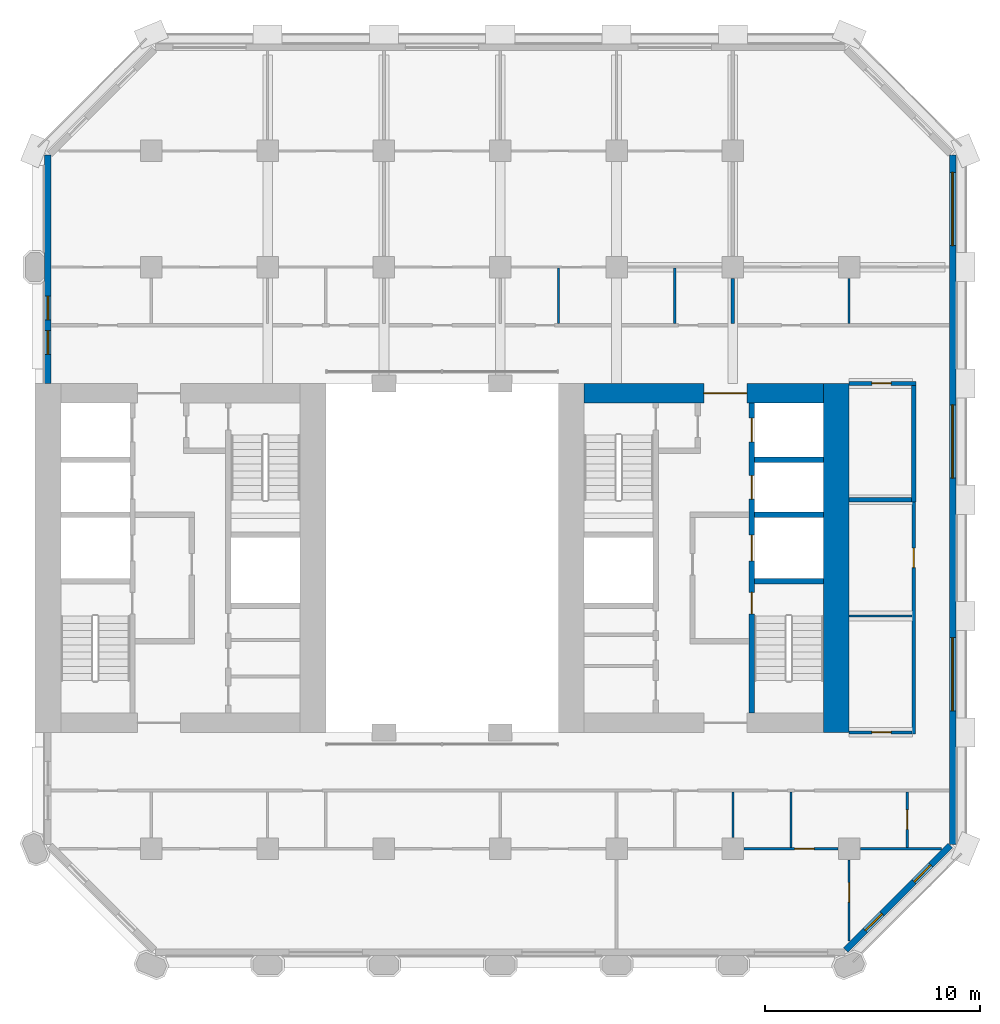
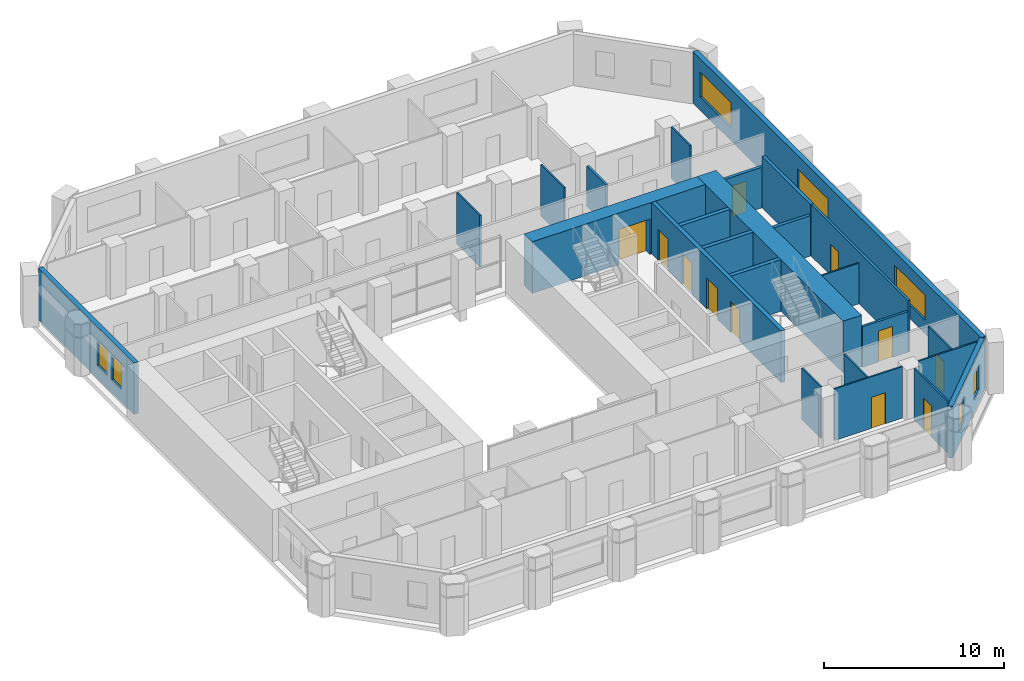
# One storey, part 6 of 11: 25 walls, 11 doors, 7 windows, 18 openings.
"""IFC4 building model written with IfcOpenShell, lengths in metres."""

from ifc_helpers import new_model, si_unit, direction, frame, frame_2d, origin, place, context, subcontext, project, spatial, rectangle, extrude, material, layer, layer_set, type_object, element, fill, save


model = new_model("IFC4")

# Units and contexts
model_context = context("Model", 3, precision=1e-05, world=origin(), true_north=direction((0.0, 1.0)))
body_context = subcontext(model_context, "Body", "Model", "MODEL_VIEW")
ifc_project = project(units=[si_unit("LENGTHUNIT", "METRE"), si_unit("AREAUNIT", "SQUARE_METRE"), si_unit("VOLUMEUNIT", "CUBIC_METRE"), si_unit("PLANEANGLEUNIT", "RADIAN"), si_unit("MASSUNIT", "GRAM", prefix="KILO")], contexts=[model_context])

# Site, building, storey
site_placement = place(None, origin())
site = spatial("IfcSite", under=ifc_project, at=site_placement, CompositionType="ELEMENT")
building_placement = place(site_placement, origin())
building = spatial("IfcBuilding", under=site, at=building_placement, Name="Tabaq Tower and Sports Hall", CompositionType="ELEMENT")
storey_placement = place(building_placement, frame((0.0, 0.0, 84.0)))
storey = spatial("IfcBuildingStorey", under=building, at=storey_placement, Name="L19", CompositionType="ELEMENT", Elevation=84.0)

# Wall
ifc_material_1 = material(Name="Concrete C60/75", Category="concrete")
ifc_layer_1 = layer(ifc_material_1, 1.199951171875)
ifc_layer_set_1 = layer_set([ifc_layer_1], Name="Core wall 1200 Concrete C60/75")
wall_type_1 = type_object("IfcWallType", Name="Core wall 1200 Concrete C60/75", PredefinedType="SOLIDWALL", material=ifc_layer_set_1)
wall_1_placement = place(storey_placement, frame((42.60009765625, 32.39990234375, 0.0), z_axis=(0.0, 0.0, 1.0), x_axis=(0.0, -1.0, 0.0)))
element("IfcWall", 1, at=wall_1_placement, inside=storey, type_object=wall_type_1, Name="Core wall E L19", PredefinedType="SOLIDWALL", context=body_context, shape_type="SweptSolid", body=[
    extrude(rectangle(XDim=16.199951171875, YDim=1.199951171875, at=frame_2d((8.10009765625, 0.0))), origin(), (0.0, 0.0, 1.0), 3.5),
])

# Wall, opening, door
ifc_material_2 = material(Name="Concrete C60/75", Category="concrete")
ifc_layer_2 = layer(ifc_material_2, 0.89990234375)
ifc_layer_set_2 = layer_set([ifc_layer_2], Name="Core wall 900 Concrete C60/75")
wall_type_2 = type_object("IfcWallType", Name="Core wall 900 Concrete C60/75", PredefinedType="SOLIDWALL", material=ifc_layer_set_2)
wall_2_placement = place(storey_placement, frame((30.89990234375, 31.949951171875, 0.0), z_axis=(0.0, 0.0, 1.0), x_axis=(1.0, 0.0, 0.0)))
wall_2 = element("IfcWall", 2, at=wall_2_placement, inside=storey, type_object=wall_type_2, Name="Core wall E L19", PredefinedType="SOLIDWALL", context=body_context, shape_type="SweptSolid", body=[
    extrude(rectangle(XDim=11.10009765625, YDim=0.89990234375, at=frame_2d((5.550048828125, 0.0))), origin(), (0.0, 0.0, 1.0), 3.5),
])
opening_1_placement = place(wall_2_placement, frame((5.550048828125, 0.0, 0.0)))
opening_1 = element("IfcOpeningElement", 3, at=opening_1_placement, cuts=wall_2, Name="Opening PD-EL19-02", PredefinedType="OPENING", context=body_context, shape_type="SweptSolid", body=[
    extrude(rectangle(XDim=2.0, YDim=2.39990234375, at=frame_2d((1.0, 1.199951171875))), frame((0.0, 0.449951171875, 0.0), z_axis=(0.0, -1.0, 0.0), x_axis=(1.0, 0.0, 0.0)), (0.0, 0.0, 1.0), 0.89990234375),
])
ifc_material_3 = material(Name="Steel fire door", Category="steel")
door_type_1 = type_object("IfcDoorType", Name="Core entrance door 2000", OperationType="DOUBLE_DOOR_SINGLE_SWING", PredefinedType="DOOR", material=ifc_material_3)
door_1_placement = place(opening_1_placement, origin())
door_1 = element("IfcDoor", 4, at=door_1_placement, inside=storey, type_object=door_type_1, Name="Core entrance north E L19", OperationType="DOUBLE_DOOR_SINGLE_SWING", OverallHeight=2.39990234375, OverallWidth=2.0, PredefinedType="DOOR", context=body_context, shape_type="SweptSolid", body=[
    extrude(rectangle(XDim=2.0, YDim=2.39990234375, at=frame_2d((1.0, 1.199951171875))), frame((0.0, 0.02490234375, 0.0), z_axis=(0.0, -1.0, 0.0), x_axis=(1.0, 0.0, 0.0)), (0.0, 0.0, 1.0), 0.050048828125),
])
fill(opening_1, door_1)

ifc_material_4 = material(Name="Blockwork", Category="masonry")
ifc_layer_3 = layer(ifc_material_4, 0.199951171875)
ifc_layer_set_3 = layer_set([ifc_layer_3], Name="Fire compartment wall 200 Blockwork")
wall_type_3 = type_object("IfcWallType", Name="Fire compartment wall 200 Blockwork", PredefinedType="PARTITIONING", material=ifc_layer_set_3)
wall_3_placement = place(storey_placement, frame((43.199951171875, 32.39990234375, 0.0), z_axis=(0.0, 0.0, 1.0), x_axis=(1.0, 0.0, 0.0)))
wall_3 = element("IfcWall", 5, at=wall_3_placement, inside=storey, type_object=wall_type_3, Name="Compartment wall L19", PredefinedType="PARTITIONING", context=body_context, shape_type="SweptSolid", body=[
    extrude(rectangle(XDim=3.10009765625, YDim=0.199951171875, at=frame_2d((1.550048828125, 0.0))), origin(), (0.0, 0.0, 1.0), 2.75),
])
opening_2_placement = place(wall_3_placement, frame((1.050048828125, 0.0, 0.0)))
opening_2 = element("IfcOpeningElement", 6, at=opening_2_placement, cuts=wall_3, Name="Opening L19-011", PredefinedType="OPENING", context=body_context, shape_type="SweptSolid", body=[
    extrude(rectangle(XDim=0.89990234375, YDim=2.10009765625, at=frame_2d((0.449951171875, 1.050048828125))), frame((0.0, 0.10009765625, 0.0), z_axis=(0.0, -1.0, 0.0), x_axis=(1.0, 0.0, 0.0)), (0.0, 0.0, 1.0), 0.199951171875),
])
ifc_material_5 = material(Name="Steel fire door", Category="steel")
door_type_2 = type_object("IfcDoorType", Name="Plant room door 900 left hand", OperationType="SINGLE_SWING_LEFT", PredefinedType="DOOR", material=ifc_material_5)
door_2_placement = place(opening_2_placement, origin())
door_2 = element("IfcDoor", 7, at=door_2_placement, inside=storey, type_object=door_type_2, Name="Plant room door L19-011", OperationType="SINGLE_SWING_LEFT", OverallHeight=2.10009765625, OverallWidth=0.89990234375, PredefinedType="DOOR", context=body_context, shape_type="SweptSolid", body=[
    extrude(rectangle(XDim=0.89990234375, YDim=2.10009765625, at=frame_2d((0.449951171875, 1.050048828125))), frame((0.0, 0.02490234375, 0.0), z_axis=(0.0, -1.0, 0.0), x_axis=(1.0, 0.0, 0.0)), (0.0, 0.0, 1.0), 0.050048828125),
])
fill(opening_2, door_2)

# Walls
wall_4_placement = place(storey_placement, frame((46.199951171875, 32.300048828125, 0.0), z_axis=(0.0, 0.0, 1.0), x_axis=(0.0, -1.0, 0.0)))
element("IfcWall", 8, at=wall_4_placement, inside=storey, type_object=wall_type_3, Name="Compartment wall L19", PredefinedType="PARTITIONING", context=body_context, shape_type="SweptSolid", body=[
    extrude(rectangle(XDim=5.400146484375, YDim=0.199951171875, at=frame_2d((2.7001953125, 0.0))), origin(), (0.0, 0.0, 1.0), 3.5),
])
wall_5_placement = place(storey_placement, frame((46.10009765625, 27.0, 0.0), z_axis=(0.0, 0.0, 1.0), x_axis=(-1.0, 0.0, 0.0)))
element("IfcWall", 9, at=wall_5_placement, inside=storey, type_object=wall_type_3, Name="Compartment wall L19", PredefinedType="PARTITIONING", context=body_context, shape_type="SweptSolid", body=[
    extrude(rectangle(XDim=2.900146484375, YDim=0.199951171875, at=frame_2d((1.4501953125, 0.0))), origin(), (0.0, 0.0, 1.0), 2.75),
])
ifc_material_6 = material(Name="Gypsum board on steel studs", Category="steel")
ifc_layer_4 = layer(ifc_material_6, 0.10009765625)
ifc_layer_set_4 = layer_set([ifc_layer_4], Name="Partition 100 Gypsum board")
wall_type_4 = type_object("IfcWallType", Name="Partition 100 Gypsum board", PredefinedType="PARTITIONING", material=ifc_layer_set_4)
for number, where, z_axis, x_axis, name in (
    (10, (29.699951171875, 35.175048828125, 0.0), (0.0, 0.0, 1.0), (0.0, 1.0, 0.0), "Partition wall L19"),
    (11, (35.10009765625, 35.175048828125, 0.0), (0.0, 0.0, 1.0), (0.0, 1.0, 0.0), "Partition wall L19"),
):
    element("IfcWall", number, at=place(storey_placement, frame(where, z_axis=z_axis, x_axis=x_axis)), inside=storey, type_object=wall_type_4, Name=name, PredefinedType="PARTITIONING", context=body_context, shape_type="SweptSolid", body=[
        extrude(rectangle(XDim=2.574951171875, YDim=0.10009765625, at=frame_2d((1.28759765625, 0.0))), origin(), (0.0, 0.0, 1.0), 3.5),
    ])
for number, where, z_axis, x_axis, name in (
    (12, (43.199951171875, 35.175048828125, 0.0), (0.0, 0.0, 1.0), (0.0, 1.0, 0.0), "Partition wall L19"),
    (13, (37.800048828125, 11.320068359375, 0.0), (0.0, 0.0, 1.0), (0.0, 1.0, 0.0), "Partition wall L19"),
):
    element("IfcWall", number, at=place(storey_placement, frame(where, z_axis=z_axis, x_axis=x_axis)), inside=storey, type_object=wall_type_4, Name=name, PredefinedType="PARTITIONING", context=body_context, shape_type="SweptSolid", body=[
        extrude(rectangle(XDim=2.10498046875, YDim=0.10009765625, at=frame_2d((1.052490234375, 0.0))), origin(), (0.0, 0.0, 1.0), 3.5),
    ])
wall_6_placement = place(storey_placement, frame((40.5, 10.85009765625, 0.0), z_axis=(0.0, 0.0, 1.0), x_axis=(0.0, 1.0, 0.0)))
element("IfcWall", 14, at=wall_6_placement, inside=storey, type_object=wall_type_4, Name="Partition wall L19", PredefinedType="PARTITIONING", context=body_context, shape_type="SweptSolid", body=[
    extrude(rectangle(XDim=2.574951171875, YDim=0.10009765625, at=frame_2d((1.28759765625, 0.0))), origin(), (0.0, 0.0, 1.0), 3.5),
])

# Wall, opening, door
wall_7_placement = place(storey_placement, frame((38.320068359375, 10.800048828125, 0.0), z_axis=(0.0, 0.0, 1.0), x_axis=(1.0, 0.0, 0.0)))
wall_7 = element("IfcWall", 15, at=wall_7_placement, inside=storey, type_object=wall_type_4, Name="Partition wall L19", PredefinedType="PARTITIONING", context=body_context, shape_type="SweptSolid", body=[
    extrude(rectangle(XDim=4.35986328125, YDim=0.10009765625, at=frame_2d((2.179931640625, 0.0))), origin(), (0.0, 0.0, 1.0), 3.5),
])
opening_3_placement = place(wall_7_placement, frame((2.35009765625, 0.0, 0.0)))
opening_3 = element("IfcOpeningElement", 16, at=opening_3_placement, cuts=wall_7, Name="Opening L19-033", PredefinedType="OPENING", context=body_context, shape_type="SweptSolid", body=[
    extrude(rectangle(XDim=0.89990234375, YDim=2.10009765625, at=frame_2d((0.449951171875, 1.050048828125))), frame((0.0, 0.050048828125, 0.0), z_axis=(0.0, -1.0, 0.0), x_axis=(1.0, 0.0, 0.0)), (0.0, 0.0, 1.0), 0.10009765625),
])
ifc_material_7 = material(Name="Timber leaf in steel frame", Category="steel")
door_type_3 = type_object("IfcDoorType", Name="Internal door 900 left hand", OperationType="SINGLE_SWING_LEFT", PredefinedType="DOOR", material=ifc_material_7)
door_3_placement = place(opening_3_placement, origin())
door_3 = element("IfcDoor", 17, at=door_3_placement, inside=storey, type_object=door_type_3, Name="Internal door L19-033", OperationType="SINGLE_SWING_LEFT", OverallHeight=2.10009765625, OverallWidth=0.89990234375, PredefinedType="DOOR", context=body_context, shape_type="SweptSolid", body=[
    extrude(rectangle(XDim=0.89990234375, YDim=2.10009765625, at=frame_2d((0.449951171875, 1.050048828125))), frame((0.0, 0.02490234375, 0.0), z_axis=(0.0, -1.0, 0.0), x_axis=(1.0, 0.0, 0.0)), (0.0, 0.0, 1.0), 0.050048828125),
])
fill(opening_3, door_3)

wall_8_placement = place(storey_placement, frame((45.89990234375, 10.85009765625, 0.0), z_axis=(0.0, 0.0, 1.0), x_axis=(0.0, 1.0, 0.0)))
wall_8 = element("IfcWall", 18, at=wall_8_placement, inside=storey, type_object=wall_type_4, Name="Partition wall L19", PredefinedType="PARTITIONING", context=body_context, shape_type="SweptSolid", body=[
    extrude(rectangle(XDim=2.574951171875, YDim=0.10009765625, at=frame_2d((1.28759765625, 0.0))), origin(), (0.0, 0.0, 1.0), 3.5),
])
opening_4_placement = place(wall_8_placement, frame((0.85009765625, 0.0, 0.0)))
opening_4 = element("IfcOpeningElement", 19, at=opening_4_placement, cuts=wall_8, Name="Opening L19-023", PredefinedType="OPENING", context=body_context, shape_type="SweptSolid", body=[
    extrude(rectangle(XDim=0.89990234375, YDim=2.10009765625, at=frame_2d((0.449951171875, 1.050048828125))), frame((0.0, 0.050048828125, 0.0), z_axis=(0.0, -1.0, 0.0), x_axis=(1.0, 0.0, 0.0)), (0.0, 0.0, 1.0), 0.10009765625),
])
door_4_placement = place(opening_4_placement, origin())
door_4 = element("IfcDoor", 20, at=door_4_placement, inside=storey, type_object=door_type_3, Name="Internal door L19-023", OperationType="SINGLE_SWING_LEFT", OverallHeight=2.10009765625, OverallWidth=0.89990234375, PredefinedType="DOOR", context=body_context, shape_type="SweptSolid", body=[
    extrude(rectangle(XDim=0.89990234375, YDim=2.10009765625, at=frame_2d((0.449951171875, 1.050048828125))), frame((0.0, 0.02490234375, 0.0), z_axis=(0.0, -1.0, 0.0), x_axis=(1.0, 0.0, 0.0)), (0.0, 0.0, 1.0), 0.050048828125),
])
fill(opening_4, door_4)

# Wall
wall_9_placement = place(storey_placement, frame((43.719970703125, 10.800048828125, 0.0), z_axis=(0.0, 0.0, 1.0), x_axis=(1.0, 0.0, 0.0)))
element("IfcWall", 21, at=wall_9_placement, inside=storey, type_object=wall_type_4, Name="Partition wall L19", PredefinedType="PARTITIONING", context=body_context, shape_type="SweptSolid", body=[
    extrude(rectangle(XDim=3.767822265625, YDim=0.10009765625, at=frame_2d((1.8837890625, 0.0))), origin(), (0.0, 0.0, 1.0), 3.5),
])

# Wall, opening, door
wall_10_placement = place(storey_placement, frame((43.199951171875, 6.51220703125, 0.0), z_axis=(0.0, 0.0, 1.0), x_axis=(0.0, 1.0, 0.0)))
wall_10 = element("IfcWall", 22, at=wall_10_placement, inside=storey, type_object=wall_type_4, Name="Partition wall L19", PredefinedType="PARTITIONING", context=body_context, shape_type="SweptSolid", body=[
    extrude(rectangle(XDim=3.767822265625, YDim=0.10009765625, at=frame_2d((1.8837890625, 0.0))), origin(), (0.0, 0.0, 1.0), 3.5),
])
opening_5_placement = place(wall_10_placement, frame((1.81298828125, 0.0, 0.0)))
opening_5 = element("IfcOpeningElement", 23, at=opening_5_placement, cuts=wall_10, Name="Opening L19-024", PredefinedType="OPENING", context=body_context, shape_type="SweptSolid", body=[
    extrude(rectangle(XDim=0.89990234375, YDim=2.10009765625, at=frame_2d((0.449951171875, 1.050048828125))), frame((0.0, 0.050048828125, 0.0), z_axis=(0.0, -1.0, 0.0), x_axis=(1.0, 0.0, 0.0)), (0.0, 0.0, 1.0), 0.10009765625),
])
door_5_placement = place(opening_5_placement, origin())
door_5 = element("IfcDoor", 24, at=door_5_placement, inside=storey, type_object=door_type_3, Name="Internal door L19-024", OperationType="SINGLE_SWING_LEFT", OverallHeight=2.10009765625, OverallWidth=0.89990234375, PredefinedType="DOOR", context=body_context, shape_type="SweptSolid", body=[
    extrude(rectangle(XDim=0.89990234375, YDim=2.10009765625, at=frame_2d((0.449951171875, 1.050048828125))), frame((0.0, 0.02490234375, 0.0), z_axis=(0.0, -1.0, 0.0), x_axis=(1.0, 0.0, 0.0)), (0.0, 0.0, 1.0), 0.050048828125),
])
fill(opening_5, door_5)

# Wall
wall_11_placement = place(storey_placement, frame((46.125, 21.60009765625, 0.0), z_axis=(0.0, 0.0, 1.0), x_axis=(-1.0, 0.0, 0.0)))
element("IfcWall", 25, at=wall_11_placement, inside=storey, type_object=wall_type_4, Name="Partition wall L19", PredefinedType="PARTITIONING", context=body_context, shape_type="SweptSolid", body=[
    extrude(rectangle(XDim=2.925048828125, YDim=0.10009765625, at=frame_2d((1.46240234375, 0.0))), origin(), (0.0, 0.0, 1.0), 2.75),
])

# Wall, opening, door
ifc_material_8 = material(Name="Blockwork", Category="masonry")
ifc_layer_5 = layer(ifc_material_8, 0.14990234375)
ifc_layer_set_5 = layer_set([ifc_layer_5], Name="Separating wall 150 Blockwork")
wall_type_5 = type_object("IfcWallType", Name="Separating wall 150 Blockwork", PredefinedType="PARTITIONING", material=ifc_layer_set_5)
wall_12_placement = place(storey_placement, frame((46.199951171875, 26.89990234375, 0.0), z_axis=(0.0, 0.0, 1.0), x_axis=(0.0, -1.0, 0.0)))
wall_12 = element("IfcWall", 26, at=wall_12_placement, inside=storey, type_object=wall_type_5, Name="Separating wall L19", PredefinedType="PARTITIONING", context=body_context, shape_type="SweptSolid", body=[
    extrude(rectangle(XDim=10.77490234375, YDim=0.14990234375, at=frame_2d((5.387451171875, 0.0))), origin(), (0.0, 0.0, 1.0), 3.5),
])
opening_6_placement = place(wall_12_placement, frame((2.14990234375, 0.0, 0.0)))
opening_6 = element("IfcOpeningElement", 27, at=opening_6_placement, cuts=wall_12, Name="Opening L19-010", PredefinedType="OPENING", context=body_context, shape_type="SweptSolid", body=[
    extrude(rectangle(XDim=0.89990234375, YDim=2.10009765625, at=frame_2d((0.449951171875, 1.050048828125))), frame((0.0, 0.074951171875, 0.0), z_axis=(0.0, -1.0, 0.0), x_axis=(1.0, 0.0, 0.0)), (0.0, 0.0, 1.0), 0.14990234375),
])
door_6_placement = place(opening_6_placement, origin())
door_6 = element("IfcDoor", 28, at=door_6_placement, inside=storey, type_object=door_type_3, Name="Internal door L19-010", OperationType="SINGLE_SWING_LEFT", OverallHeight=2.10009765625, OverallWidth=0.89990234375, PredefinedType="DOOR", context=body_context, shape_type="SweptSolid", body=[
    extrude(rectangle(XDim=0.89990234375, YDim=2.10009765625, at=frame_2d((0.449951171875, 1.050048828125))), frame((0.0, 0.02490234375, 0.0), z_axis=(0.0, -1.0, 0.0), x_axis=(1.0, 0.0, 0.0)), (0.0, 0.0, 1.0), 0.050048828125),
])
fill(opening_6, door_6)

wall_13_placement = place(storey_placement, frame((46.125, 16.199951171875, 0.0), z_axis=(0.0, 0.0, 1.0), x_axis=(-1.0, 0.0, 0.0)))
wall_13 = element("IfcWall", 29, at=wall_13_placement, inside=storey, type_object=wall_type_5, Name="Separating wall L19", PredefinedType="PARTITIONING", context=body_context, shape_type="SweptSolid", body=[
    extrude(rectangle(XDim=2.925048828125, YDim=0.14990234375, at=frame_2d((1.46240234375, 0.0))), origin(), (0.0, 0.0, 1.0), 2.75),
])
opening_7_placement = place(wall_13_placement, frame((0.97509765625, 0.0, 0.0)))
opening_7 = element("IfcOpeningElement", 30, at=opening_7_placement, cuts=wall_13, Name="Opening L19-009", PredefinedType="OPENING", context=body_context, shape_type="SweptSolid", body=[
    extrude(rectangle(XDim=0.89990234375, YDim=2.10009765625, at=frame_2d((0.449951171875, 1.050048828125))), frame((0.0, 0.074951171875, 0.0), z_axis=(0.0, -1.0, 0.0), x_axis=(1.0, 0.0, 0.0)), (0.0, 0.0, 1.0), 0.14990234375),
])
door_7_placement = place(opening_7_placement, origin())
door_7 = element("IfcDoor", 31, at=door_7_placement, inside=storey, type_object=door_type_3, Name="Internal door L19-009", OperationType="SINGLE_SWING_LEFT", OverallHeight=2.10009765625, OverallWidth=0.89990234375, PredefinedType="DOOR", context=body_context, shape_type="SweptSolid", body=[
    extrude(rectangle(XDim=0.89990234375, YDim=2.10009765625, at=frame_2d((0.449951171875, 1.050048828125))), frame((0.0, 0.02490234375, 0.0), z_axis=(0.0, -1.0, 0.0), x_axis=(1.0, 0.0, 0.0)), (0.0, 0.0, 1.0), 0.050048828125),
])
fill(opening_7, door_7)

# Wall
wall_14_placement = place(storey_placement, frame((37.800048828125, 35.175048828125, 0.0), z_axis=(0.0, 0.0, 1.0), x_axis=(0.0, 1.0, 0.0)))
element("IfcWall", 32, at=wall_14_placement, inside=storey, type_object=wall_type_5, Name="Separating wall L19", PredefinedType="PARTITIONING", context=body_context, shape_type="SweptSolid", body=[
    extrude(rectangle(XDim=2.10498046875, YDim=0.14990234375, at=frame_2d((1.052490234375, 0.0))), origin(), (0.0, 0.0, 1.0), 2.75),
])

# Wall, openings, doors
ifc_material_9 = material(Name="Concrete C40/50", Category="concrete")
ifc_layer_6 = layer(ifc_material_9, 0.25)
ifc_layer_set_6 = layer_set([ifc_layer_6], Name="Shaft and stair wall 250 Concrete C40/50")
wall_type_6 = type_object("IfcWallType", Name="Shaft and stair wall 250 Concrete C40/50", PredefinedType="SOLIDWALL", material=ifc_layer_set_6)
wall_15_placement = place(storey_placement, frame((38.675048828125, 17.10009765625, 0.0), z_axis=(0.0, 0.0, 1.0), x_axis=(0.0, 1.0, 0.0)))
wall_15 = element("IfcWall", 33, at=wall_15_placement, inside=storey, type_object=wall_type_6, Name="Shaft wall E L19", PredefinedType="SOLIDWALL", context=body_context, shape_type="SweptSolid", body=[
    extrude(rectangle(XDim=14.39990234375, YDim=0.25, at=frame_2d((7.199951171875, 0.0))), origin(), (0.0, 0.0, 1.0), 3.5),
])
opening_8_placement = place(wall_15_placement, frame((4.60009765625, 0.0, 0.0)))
opening_8 = element("IfcOpeningElement", 34, at=opening_8_placement, cuts=wall_15, Name="Opening SD-EL19-03", PredefinedType="OPENING", context=body_context, shape_type="SweptSolid", body=[
    extrude(rectangle(XDim=1.0, YDim=2.10009765625, at=frame_2d((0.5, 1.050048828125))), frame((0.0, 0.125, 0.0), z_axis=(0.0, -1.0, 0.0), x_axis=(1.0, 0.0, 0.0)), (0.0, 0.0, 1.0), 0.25),
])
opening_9_placement = place(wall_15_placement, frame((7.0625, 0.0, 0.0)))
opening_9 = element("IfcOpeningElement", 35, at=opening_9_placement, cuts=wall_15, Name="Opening LD-FF2-L19", PredefinedType="OPENING", context=body_context, shape_type="SweptSolid", body=[
    extrude(rectangle(XDim=1.199951171875, YDim=2.10009765625, at=frame_2d((0.60009765625, 1.050048828125))), frame((0.0, 0.125, 0.0), z_axis=(0.0, -1.0, 0.0), x_axis=(1.0, 0.0, 0.0)), (0.0, 0.0, 1.0), 0.25),
])
opening_10_placement = place(wall_15_placement, frame((9.925048828125, 0.0, 0.0)))
opening_10 = element("IfcOpeningElement", 36, at=opening_10_placement, cuts=wall_15, Name="Opening LD-LR3-L19", PredefinedType="OPENING", context=body_context, shape_type="SweptSolid", body=[
    extrude(rectangle(XDim=1.10009765625, YDim=2.10009765625, at=frame_2d((0.550048828125, 1.050048828125))), frame((0.0, 0.125, 0.0), z_axis=(0.0, -1.0, 0.0), x_axis=(1.0, 0.0, 0.0)), (0.0, 0.0, 1.0), 0.25),
])
opening_11_placement = place(wall_15_placement, frame((12.58740234375, 0.0, 0.0)))
opening_11 = element("IfcOpeningElement", 37, at=opening_11_placement, cuts=wall_15, Name="Opening LD-LR4-L19", PredefinedType="OPENING", context=body_context, shape_type="SweptSolid", body=[
    extrude(rectangle(XDim=1.10009765625, YDim=2.10009765625, at=frame_2d((0.550048828125, 1.050048828125))), frame((0.0, 0.125, 0.0), z_axis=(0.0, -1.0, 0.0), x_axis=(1.0, 0.0, 0.0)), (0.0, 0.0, 1.0), 0.25),
])
ifc_material_10 = material(Name="Stainless steel", Category="steel")
door_type_4 = type_object("IfcDoorType", Name="Lift landing door 1100", OperationType="DOUBLE_DOOR_SLIDING", PredefinedType="DOOR", material=ifc_material_10)
door_8_placement = place(opening_10_placement, origin())
door_8 = element("IfcDoor", 38, at=door_8_placement, inside=storey, type_object=door_type_4, Name="Lift landing door LR3 E L19", OperationType="DOUBLE_DOOR_SLIDING", OverallHeight=2.10009765625, OverallWidth=1.10009765625, PredefinedType="DOOR", context=body_context, shape_type="SweptSolid", body=[
    extrude(rectangle(XDim=1.10009765625, YDim=2.10009765625, at=frame_2d((0.550048828125, 1.050048828125))), frame((0.0, 0.02490234375, 0.0), z_axis=(0.0, -1.0, 0.0), x_axis=(1.0, 0.0, 0.0)), (0.0, 0.0, 1.0), 0.050048828125),
])
fill(opening_10, door_8)
door_9_placement = place(opening_11_placement, origin())
door_9 = element("IfcDoor", 39, at=door_9_placement, inside=storey, type_object=door_type_4, Name="Lift landing door LR4 E L19", OperationType="DOUBLE_DOOR_SLIDING", OverallHeight=2.10009765625, OverallWidth=1.10009765625, PredefinedType="DOOR", context=body_context, shape_type="SweptSolid", body=[
    extrude(rectangle(XDim=1.10009765625, YDim=2.10009765625, at=frame_2d((0.550048828125, 1.050048828125))), frame((0.0, 0.02490234375, 0.0), z_axis=(0.0, -1.0, 0.0), x_axis=(1.0, 0.0, 0.0)), (0.0, 0.0, 1.0), 0.050048828125),
])
fill(opening_11, door_9)
ifc_material_11 = material(Name="Stainless steel", Category="steel")
door_type_5 = type_object("IfcDoorType", Name="Lift landing door 1200", OperationType="DOUBLE_DOOR_SLIDING", PredefinedType="DOOR", material=ifc_material_11)
door_10_placement = place(opening_9_placement, origin())
door_10 = element("IfcDoor", 40, at=door_10_placement, inside=storey, type_object=door_type_5, Name="Lift landing door FF2 E L19", OperationType="DOUBLE_DOOR_SLIDING", OverallHeight=2.10009765625, OverallWidth=1.199951171875, PredefinedType="DOOR", context=body_context, shape_type="SweptSolid", body=[
    extrude(rectangle(XDim=1.199951171875, YDim=2.10009765625, at=frame_2d((0.60009765625, 1.050048828125))), frame((0.0, 0.02490234375, 0.0), z_axis=(0.0, -1.0, 0.0), x_axis=(1.0, 0.0, 0.0)), (0.0, 0.0, 1.0), 0.050048828125),
])
fill(opening_9, door_10)
ifc_material_12 = material(Name="Steel fire door", Category="steel")
door_type_6 = type_object("IfcDoorType", Name="Stair door 1000", OperationType="SINGLE_SWING_LEFT", PredefinedType="DOOR", material=ifc_material_12)
door_11_placement = place(opening_8_placement, origin())
door_11 = element("IfcDoor", 41, at=door_11_placement, inside=storey, type_object=door_type_6, Name="Stair door ST3 E L19", OperationType="SINGLE_SWING_LEFT", OverallHeight=2.10009765625, OverallWidth=1.0, PredefinedType="DOOR", context=body_context, shape_type="SweptSolid", body=[
    extrude(rectangle(XDim=1.0, YDim=2.10009765625, at=frame_2d((0.5, 1.050048828125))), frame((0.0, 0.02490234375, 0.0), z_axis=(0.0, -1.0, 0.0), x_axis=(1.0, 0.0, 0.0)), (0.0, 0.0, 1.0), 0.050048828125),
])
fill(opening_8, door_11)

# Walls
for number, where, z_axis, x_axis, name in (
    (42, (38.800048828125, 23.22509765625, 0.0), (0.0, 0.0, 1.0), (1.0, 0.0, 0.0), "Stair enclosure wall E L19"),
    (43, (38.800048828125, 26.300048828125, 0.0), (0.0, 0.0, 1.0), (1.0, 0.0, 0.0), "Shaft wall E L19"),
    (44, (38.800048828125, 28.85009765625, 0.0), (0.0, 0.0, 1.0), (1.0, 0.0, 0.0), "Shaft wall E L19"),
):
    element("IfcWall", number, at=place(storey_placement, frame(where, z_axis=z_axis, x_axis=x_axis)), inside=storey, type_object=wall_type_6, Name=name, PredefinedType="SOLIDWALL", context=body_context, shape_type="SweptSolid", body=[
        extrude(rectangle(XDim=3.199951171875, YDim=0.25, at=frame_2d((1.60009765625, 0.0))), origin(), (0.0, 0.0, 1.0), 3.5),
    ])

# Wall, openings, windows
ifc_material_13 = material(Name="White precast concrete C60/75", Category="concrete")
ifc_layer_7 = layer(ifc_material_13, 0.300048828125)
ifc_layer_set_7 = layer_set([ifc_layer_7], Name="White precast concrete C60/75 external wall 300")
wall_type_7 = type_object("IfcWallType", Name="White precast concrete C60/75 external wall 300", PredefinedType="SOLIDWALL", material=ifc_layer_set_7)
wall_16_placement = place(storey_placement, frame((43.050537109375, 6.098876953125, 0.0), z_axis=(0.0, 0.0, 1.0), x_axis=(0.707106781187, 0.707106781187, 0.0)))
wall_16 = element("IfcWall", 45, at=wall_16_placement, inside=storey, type_object=wall_type_7, Name="External Wall L19 SE", PredefinedType="SOLIDWALL", context=body_context, shape_type="SweptSolid", body=[
    extrude(rectangle(XDim=6.85986328125, YDim=0.300048828125, at=frame_2d((3.429931640625, 0.0))), origin(), (0.0, 0.0, 1.0), 3.5),
])
opening_12_placement = place(wall_16_placement, frame((1.27978515625, 0.0, 0.89990234375)))
opening_12 = element("IfcOpeningElement", 46, at=opening_12_placement, cuts=wall_16, Name="Opening W1B", PredefinedType="OPENING", context=body_context, shape_type="SweptSolid", body=[
    extrude(rectangle(XDim=1.10009765625, YDim=1.699951171875, at=frame_2d((0.550048828125, 0.85009765625))), frame((0.0, 0.16015625, 0.0), z_axis=(0.0, -1.0, 0.0), x_axis=(1.0, 0.0, 0.0)), (0.0, 0.0, 1.0), 0.320068359375),
])
opening_13_placement = place(wall_16_placement, frame((4.479736328125, 0.0, 0.89990234375)))
opening_13 = element("IfcOpeningElement", 47, at=opening_13_placement, cuts=wall_16, Name="Opening W1B", PredefinedType="OPENING", context=body_context, shape_type="SweptSolid", body=[
    extrude(rectangle(XDim=1.10009765625, YDim=1.699951171875, at=frame_2d((0.550048828125, 0.85009765625))), frame((0.0, 0.16015625, 0.0), z_axis=(0.0, -1.0, 0.0), x_axis=(1.0, 0.0, 0.0)), (0.0, 0.0, 1.0), 0.320068359375),
])
ifc_material_14 = material(Name="Aluminium framed clear glazing", Category="aluminium")
window_type_1 = type_object("IfcWindowType", Name="Window W1B", PartitioningType="SINGLE_PANEL", PredefinedType="WINDOW", material=ifc_material_14)
window_1_placement = place(opening_12_placement, origin())
window_1 = element("IfcWindow", 48, at=window_1_placement, inside=storey, type_object=window_type_1, Name="Window W1B L19", OverallHeight=1.699951171875, OverallWidth=1.10009765625, PartitioningType="SINGLE_PANEL", PredefinedType="WINDOW", context=body_context, shape_type="SweptSolid", body=[
    extrude(rectangle(XDim=1.10009765625, YDim=1.699951171875, at=frame_2d((0.550048828125, 0.85009765625))), frame((0.0, 0.030029296875, 0.0), z_axis=(0.0, -1.0, 0.0), x_axis=(1.0, 0.0, 0.0)), (0.0, 0.0, 1.0), 0.06005859375),
])
fill(opening_12, window_1)
window_2_placement = place(opening_13_placement, origin())
window_2 = element("IfcWindow", 49, at=window_2_placement, inside=storey, type_object=window_type_1, Name="Window W1B L19", OverallHeight=1.699951171875, OverallWidth=1.10009765625, PartitioningType="SINGLE_PANEL", PredefinedType="WINDOW", context=body_context, shape_type="SweptSolid", body=[
    extrude(rectangle(XDim=1.10009765625, YDim=1.699951171875, at=frame_2d((0.550048828125, 0.85009765625))), frame((0.0, 0.030029296875, 0.0), z_axis=(0.0, -1.0, 0.0), x_axis=(1.0, 0.0, 0.0)), (0.0, 0.0, 1.0), 0.06005859375),
])
fill(opening_13, window_2)

wall_17_placement = place(storey_placement, frame((48.0, 10.986328125, 0.0), z_axis=(0.0, 0.0, 1.0), x_axis=(0.0, 1.0, 0.0)))
wall_17 = element("IfcWall", 50, at=wall_17_placement, inside=storey, type_object=wall_type_7, Name="External Wall L19 E", PredefinedType="SOLIDWALL", context=body_context, shape_type="SweptSolid", body=[
    extrude(rectangle(XDim=32.02734375, YDim=0.300048828125, at=frame_2d((16.013671875, 0.0))), origin(), (0.0, 0.0, 1.0), 3.5),
])
opening_14_placement = place(wall_17_placement, frame((6.213623046875, 0.0, 0.89990234375)))
opening_14 = element("IfcOpeningElement", 51, at=opening_14_placement, cuts=wall_17, Name="Opening W1A", PredefinedType="OPENING", context=body_context, shape_type="SweptSolid", body=[
    extrude(rectangle(XDim=3.39990234375, YDim=1.699951171875, at=frame_2d((1.699951171875, 0.85009765625))), frame((0.0, 0.16015625, 0.0), z_axis=(0.0, -1.0, 0.0), x_axis=(1.0, 0.0, 0.0)), (0.0, 0.0, 1.0), 0.320068359375),
])
opening_15_placement = place(wall_17_placement, frame((17.013671875, 0.0, 0.89990234375)))
opening_15 = element("IfcOpeningElement", 52, at=opening_15_placement, cuts=wall_17, Name="Opening W1A", PredefinedType="OPENING", context=body_context, shape_type="SweptSolid", body=[
    extrude(rectangle(XDim=3.39990234375, YDim=1.699951171875, at=frame_2d((1.699951171875, 0.85009765625))), frame((0.0, 0.16015625, 0.0), z_axis=(0.0, -1.0, 0.0), x_axis=(1.0, 0.0, 0.0)), (0.0, 0.0, 1.0), 0.320068359375),
])
opening_16_placement = place(wall_17_placement, frame((27.813720703125, 0.0, 0.89990234375)))
opening_16 = element("IfcOpeningElement", 53, at=opening_16_placement, cuts=wall_17, Name="Opening W1A", PredefinedType="OPENING", context=body_context, shape_type="SweptSolid", body=[
    extrude(rectangle(XDim=3.39990234375, YDim=1.699951171875, at=frame_2d((1.699951171875, 0.85009765625))), frame((0.0, 0.16015625, 0.0), z_axis=(0.0, -1.0, 0.0), x_axis=(1.0, 0.0, 0.0)), (0.0, 0.0, 1.0), 0.320068359375),
])
ifc_material_15 = material(Name="Aluminium framed clear glazing", Category="aluminium")
window_type_2 = type_object("IfcWindowType", Name="Window W1A", PartitioningType="SINGLE_PANEL", PredefinedType="WINDOW", material=ifc_material_15)
window_3_placement = place(opening_14_placement, origin())
window_3 = element("IfcWindow", 54, at=window_3_placement, inside=storey, type_object=window_type_2, Name="Window W1A L19", OverallHeight=1.699951171875, OverallWidth=3.39990234375, PartitioningType="SINGLE_PANEL", PredefinedType="WINDOW", context=body_context, shape_type="SweptSolid", body=[
    extrude(rectangle(XDim=3.39990234375, YDim=1.699951171875, at=frame_2d((1.699951171875, 0.85009765625))), frame((0.0, 0.030029296875, 0.0), z_axis=(0.0, -1.0, 0.0), x_axis=(1.0, 0.0, 0.0)), (0.0, 0.0, 1.0), 0.06005859375),
])
fill(opening_14, window_3)
window_4_placement = place(opening_15_placement, origin())
window_4 = element("IfcWindow", 55, at=window_4_placement, inside=storey, type_object=window_type_2, Name="Window W1A L19", OverallHeight=1.699951171875, OverallWidth=3.39990234375, PartitioningType="SINGLE_PANEL", PredefinedType="WINDOW", context=body_context, shape_type="SweptSolid", body=[
    extrude(rectangle(XDim=3.39990234375, YDim=1.699951171875, at=frame_2d((1.699951171875, 0.85009765625))), frame((0.0, 0.030029296875, 0.0), z_axis=(0.0, -1.0, 0.0), x_axis=(1.0, 0.0, 0.0)), (0.0, 0.0, 1.0), 0.06005859375),
])
fill(opening_15, window_4)
window_5_placement = place(opening_16_placement, origin())
window_5 = element("IfcWindow", 56, at=window_5_placement, inside=storey, type_object=window_type_2, Name="Window W1A L19", OverallHeight=1.699951171875, OverallWidth=3.39990234375, PartitioningType="SINGLE_PANEL", PredefinedType="WINDOW", context=body_context, shape_type="SweptSolid", body=[
    extrude(rectangle(XDim=3.39990234375, YDim=1.699951171875, at=frame_2d((1.699951171875, 0.85009765625))), frame((0.0, 0.030029296875, 0.0), z_axis=(0.0, -1.0, 0.0), x_axis=(1.0, 0.0, 0.0)), (0.0, 0.0, 1.0), 0.06005859375),
])
fill(opening_16, window_5)

wall_18_placement = place(storey_placement, frame((6.0, 43.013671875, 0.0), z_axis=(0.0, 0.0, 1.0), x_axis=(0.0, -1.0, 0.0)))
wall_18 = element("IfcWall", 57, at=wall_18_placement, inside=storey, type_object=wall_type_7, Name="External Wall L19 W", PredefinedType="SOLIDWALL", context=body_context, shape_type="SweptSolid", body=[
    extrude(rectangle(XDim=10.61376953125, YDim=0.300048828125, at=frame_2d((5.306884765625, 0.0))), origin(), (0.0, 0.0, 1.0), 3.5),
])
opening_17_placement = place(wall_18_placement, frame((6.563720703125, 0.0, 0.89990234375)))
opening_17 = element("IfcOpeningElement", 58, at=opening_17_placement, cuts=wall_18, Name="Opening W1B", PredefinedType="OPENING", context=body_context, shape_type="SweptSolid", body=[
    extrude(rectangle(XDim=1.10009765625, YDim=1.699951171875, at=frame_2d((0.550048828125, 0.85009765625))), frame((0.0, 0.16015625, 0.0), z_axis=(0.0, -1.0, 0.0), x_axis=(1.0, 0.0, 0.0)), (0.0, 0.0, 1.0), 0.320068359375),
])
opening_18_placement = place(wall_18_placement, frame((8.16357421875, 0.0, 0.89990234375)))
opening_18 = element("IfcOpeningElement", 59, at=opening_18_placement, cuts=wall_18, Name="Opening W1B", PredefinedType="OPENING", context=body_context, shape_type="SweptSolid", body=[
    extrude(rectangle(XDim=1.10009765625, YDim=1.699951171875, at=frame_2d((0.550048828125, 0.85009765625))), frame((0.0, 0.16015625, 0.0), z_axis=(0.0, -1.0, 0.0), x_axis=(1.0, 0.0, 0.0)), (0.0, 0.0, 1.0), 0.320068359375),
])
window_6_placement = place(opening_17_placement, origin())
window_6 = element("IfcWindow", 60, at=window_6_placement, inside=storey, type_object=window_type_1, Name="Window W1B L19", OverallHeight=1.699951171875, OverallWidth=1.10009765625, PartitioningType="SINGLE_PANEL", PredefinedType="WINDOW", context=body_context, shape_type="SweptSolid", body=[
    extrude(rectangle(XDim=1.10009765625, YDim=1.699951171875, at=frame_2d((0.550048828125, 0.85009765625))), frame((0.0, 0.030029296875, 0.0), z_axis=(0.0, -1.0, 0.0), x_axis=(1.0, 0.0, 0.0)), (0.0, 0.0, 1.0), 0.06005859375),
])
fill(opening_17, window_6)
window_7_placement = place(opening_18_placement, origin())
window_7 = element("IfcWindow", 61, at=window_7_placement, inside=storey, type_object=window_type_1, Name="Window W1B L19", OverallHeight=1.699951171875, OverallWidth=1.10009765625, PartitioningType="SINGLE_PANEL", PredefinedType="WINDOW", context=body_context, shape_type="SweptSolid", body=[
    extrude(rectangle(XDim=1.10009765625, YDim=1.699951171875, at=frame_2d((0.550048828125, 0.85009765625))), frame((0.0, 0.030029296875, 0.0), z_axis=(0.0, -1.0, 0.0), x_axis=(1.0, 0.0, 0.0)), (0.0, 0.0, 1.0), 0.06005859375),
])
fill(opening_18, window_7)

save(model, "model.ifc")
